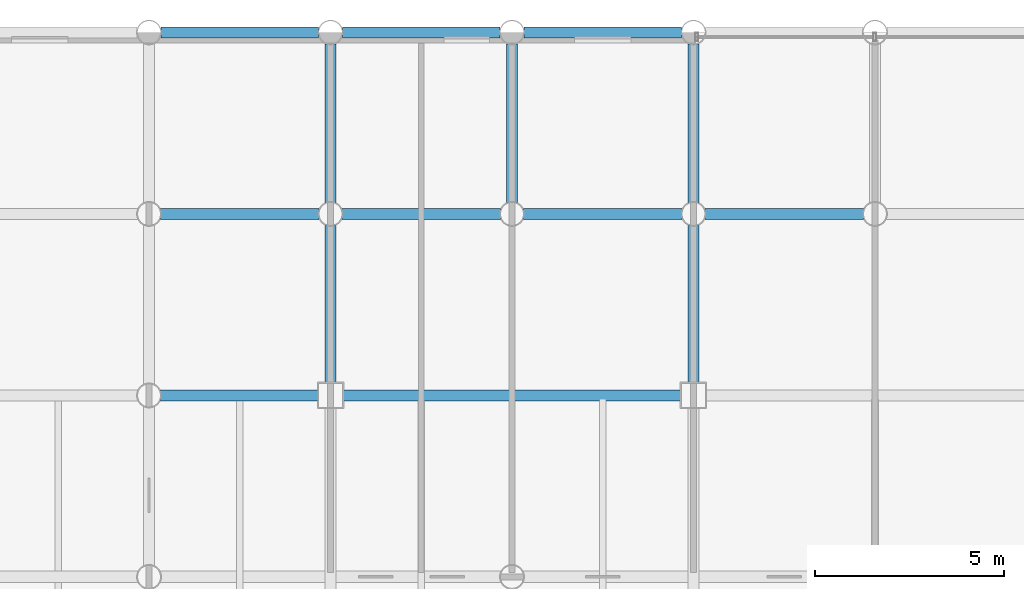
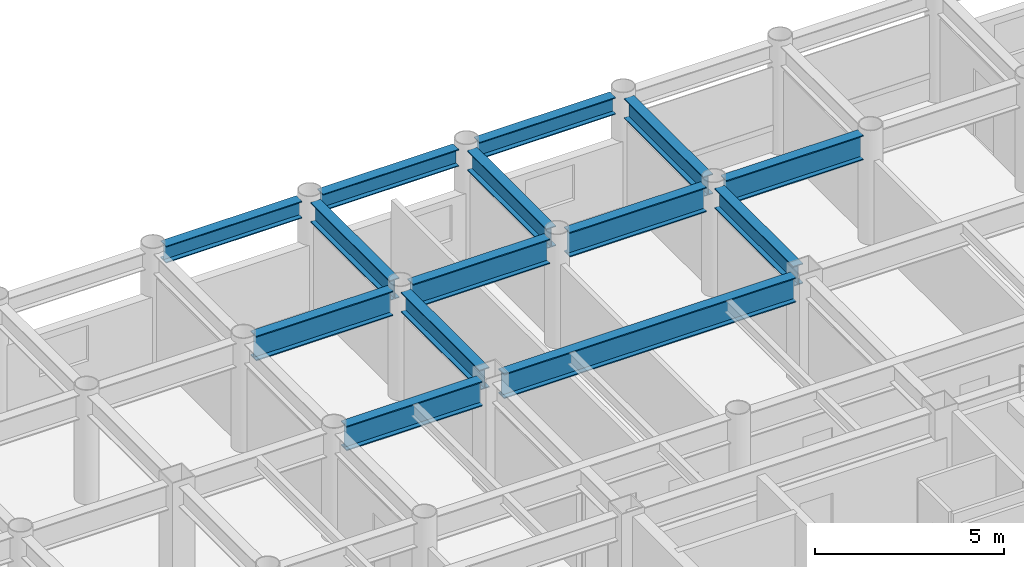
# One storey, part 11 of 21: 14 beams.
"""IFC4 building model written with IfcOpenShell, lengths in metres."""

from ifc_helpers import new_model, si_unit, direction, frame, origin, origin_2d, place, context, subcontext, project, spatial, i_section, extrude, material, material_profile, profile_set, type_object, element, save


model = new_model("IFC4")

# Units and contexts
model_context = context("Model", 3, precision=1e-05, world=origin(), true_north=direction((0.0, 1.0)))
body_context = subcontext(model_context, "Body", "Model", "MODEL_VIEW")
ifc_project = project(units=[si_unit("LENGTHUNIT", "METRE"), si_unit("AREAUNIT", "SQUARE_METRE"), si_unit("VOLUMEUNIT", "CUBIC_METRE"), si_unit("PLANEANGLEUNIT", "RADIAN"), si_unit("MASSUNIT", "GRAM", prefix="KILO")], contexts=[model_context])

# Site, building, storey
site_placement = place(None, origin())
site = spatial("IfcSite", under=ifc_project, at=site_placement, CompositionType="ELEMENT")
building_placement = place(site_placement, origin())
building = spatial("IfcBuilding", under=site, at=building_placement, Name="Kallvorn Hotel Tower", CompositionType="ELEMENT")
storey_placement = place(building_placement, frame((0.0, 0.0, 139.60009765625)))
storey = spatial("IfcBuildingStorey", under=building, at=storey_placement, Name="L34", CompositionType="ELEMENT", Elevation=139.60009765625)

# Beams
ifc_material_1 = material(Name="Structural steel S355JR", Category="steel")
ifc_material_profile_1 = material_profile(ifc_material_1, i_section(OverallWidth=0.300048828125, OverallDepth=0.550048828125, WebThickness=0.014892578125, FlangeThickness=0.029052734375, at=origin_2d()), Name="HE 550 B")
ifc_profile_set_1 = profile_set([ifc_material_profile_1], Name="Structural steel S355JR")
beam_type_1 = type_object("IfcBeamType", Name="BM_HE550B", PredefinedType="SPANDREL", material=ifc_profile_set_1)
beam_1_placement = place(storey_placement, frame((-18.8798828125, 24.0, 3.244873046875), z_axis=(1.0, 0.0, 0.0), x_axis=(0.0, 1.0, 0.0)))
element("IfcBeam", 1, at=beam_1_placement, inside=storey, type_object=beam_type_1, Name="L35 Perimeter Spandrel 165", PredefinedType="SPANDREL", context=body_context, shape_type="SweptSolid", body=[
    extrude(i_section(OverallWidth=0.300048828125, OverallDepth=0.550048828125, WebThickness=0.014892578125, FlangeThickness=0.029052734375, at=origin_2d()), origin(), (0.0, 0.0, 1.0), 4.159912109375),
])
beam_2_placement = place(storey_placement, frame((-14.080078125, 24.0, 3.244873046875), z_axis=(1.0, 0.0, 0.0), x_axis=(0.0, 1.0, 0.0)))
element("IfcBeam", 2, at=beam_2_placement, inside=storey, type_object=beam_type_1, Name="L35 Perimeter Spandrel 166", PredefinedType="SPANDREL", context=body_context, shape_type="SweptSolid", body=[
    extrude(i_section(OverallWidth=0.300048828125, OverallDepth=0.550048828125, WebThickness=0.014892578125, FlangeThickness=0.029052734375, at=origin_2d()), origin(), (0.0, 0.0, 1.0), 4.16015625),
])
beam_3_placement = place(storey_placement, frame((-9.280029296875, 24.0, 3.244873046875), z_axis=(1.0, 0.0, 0.0), x_axis=(0.0, 1.0, 0.0)))
element("IfcBeam", 3, at=beam_3_placement, inside=storey, type_object=beam_type_1, Name="L35 Perimeter Spandrel 167", PredefinedType="SPANDREL", context=body_context, shape_type="SweptSolid", body=[
    extrude(i_section(OverallWidth=0.300048828125, OverallDepth=0.550048828125, WebThickness=0.014892578125, FlangeThickness=0.029052734375, at=origin_2d()), origin(), (0.0, 0.0, 1.0), 4.159912109375),
])
ifc_material_2 = material(Name="Structural steel S355JR", Category="steel")
ifc_material_profile_2 = material_profile(ifc_material_2, i_section(OverallWidth=0.300048828125, OverallDepth=0.64990234375, WebThickness=0.01611328125, FlangeThickness=0.031005859375, at=origin_2d()), Name="HE 650 B")
ifc_profile_set_2 = profile_set([ifc_material_profile_2], Name="Structural steel S355JR")
beam_type_2 = type_object("IfcBeamType", Name="BM_HE650B", PredefinedType="BEAM", material=ifc_profile_set_2)
beam_4_placement = place(storey_placement, frame((-14.39990234375, 14.72509765625, 3.19482421875), z_axis=(0.0, 1.0, 0.0), x_axis=(-1.0, 0.0, 0.0)))
element("IfcBeam", 4, at=beam_4_placement, inside=storey, type_object=beam_type_2, Name="L35 Primary Y-Girder 101", PredefinedType="BEAM", context=body_context, shape_type="SweptSolid", body=[
    extrude(i_section(OverallWidth=0.300048828125, OverallDepth=0.64990234375, WebThickness=0.01611328125, FlangeThickness=0.031005859375, at=origin_2d()), origin(), (0.0, 0.0, 1.0), 4.169921875),
])
for number, where, z_axis, x_axis, name in (
    (5, (-14.39990234375, 19.5048828125, 3.19482421875), (0.0, 1.0, 0.0), (-1.0, 0.0, 0.0), "L35 Primary Y-Girder 102"),
    (6, (-9.60009765625, 19.5048828125, 3.19482421875), (0.0, 1.0, 0.0), (-1.0, 0.0, 0.0), "L35 Primary Y-Girder 105"),
):
    element("IfcBeam", number, at=place(storey_placement, frame(where, z_axis=z_axis, x_axis=x_axis)), inside=storey, type_object=beam_type_2, Name=name, PredefinedType="BEAM", context=body_context, shape_type="SweptSolid", body=[
        extrude(i_section(OverallWidth=0.300048828125, OverallDepth=0.64990234375, WebThickness=0.01611328125, FlangeThickness=0.031005859375, at=origin_2d()), origin(), (0.0, 0.0, 1.0), 4.190185546875),
    ])
beam_5_placement = place(storey_placement, frame((-4.800048828125, 14.72509765625, 3.19482421875), z_axis=(0.0, 1.0, 0.0), x_axis=(-1.0, 0.0, 0.0)))
element("IfcBeam", 7, at=beam_5_placement, inside=storey, type_object=beam_type_2, Name="L35 Primary Y-Girder 109", PredefinedType="BEAM", context=body_context, shape_type="SweptSolid", body=[
    extrude(i_section(OverallWidth=0.300048828125, OverallDepth=0.64990234375, WebThickness=0.01611328125, FlangeThickness=0.031005859375, at=origin_2d()), origin(), (0.0, 0.0, 1.0), 4.169921875),
])
beam_6_placement = place(storey_placement, frame((-4.800048828125, 19.5048828125, 3.19482421875), z_axis=(0.0, 1.0, 0.0), x_axis=(-1.0, 0.0, 0.0)))
element("IfcBeam", 8, at=beam_6_placement, inside=storey, type_object=beam_type_2, Name="L35 Primary Y-Girder 110", PredefinedType="BEAM", context=body_context, shape_type="SweptSolid", body=[
    extrude(i_section(OverallWidth=0.300048828125, OverallDepth=0.64990234375, WebThickness=0.01611328125, FlangeThickness=0.031005859375, at=origin_2d()), origin(), (0.0, 0.0, 1.0), 4.190185546875),
])
ifc_material_3 = material(Name="Structural steel S355JR", Category="steel")
ifc_material_profile_3 = material_profile(ifc_material_3, i_section(OverallWidth=0.300048828125, OverallDepth=0.800048828125, WebThickness=0.017578125, FlangeThickness=0.032958984375, at=origin_2d()), Name="HE 800 B")
ifc_profile_set_3 = profile_set([ifc_material_profile_3], Name="Structural steel S355JR")
beam_type_3 = type_object("IfcBeamType", Name="BM_HE800B", PredefinedType="BEAM", material=ifc_profile_set_3)
beam_7_placement = place(storey_placement, frame((-18.89501953125, 14.39990234375, 3.119873046875), z_axis=(1.0, 0.0, 0.0), x_axis=(0.0, 1.0, 0.0)))
element("IfcBeam", 9, at=beam_7_placement, inside=storey, type_object=beam_type_3, Name="L35 Primary X-Girder 53", PredefinedType="BEAM", context=body_context, shape_type="SweptSolid", body=[
    extrude(i_section(OverallWidth=0.300048828125, OverallDepth=0.800048828125, WebThickness=0.017578125, FlangeThickness=0.032958984375, at=origin_2d()), origin(), (0.0, 0.0, 1.0), 4.169921875),
])
beam_8_placement = place(storey_placement, frame((-14.074951171875, 14.39990234375, 3.119873046875), z_axis=(1.0, 0.0, 0.0), x_axis=(0.0, 1.0, 0.0)))
element("IfcBeam", 10, at=beam_8_placement, inside=storey, type_object=beam_type_3, Name="L35 Primary X-Girder 54", PredefinedType="BEAM", context=body_context, shape_type="SweptSolid", body=[
    extrude(i_section(OverallWidth=0.300048828125, OverallDepth=0.800048828125, WebThickness=0.017578125, FlangeThickness=0.032958984375, at=origin_2d()), origin(), (0.0, 0.0, 1.0), 8.949951171875),
])
for number, where, z_axis, x_axis, name in (
    (11, (-18.89501953125, 19.199951171875, 3.119873046875), (1.0, 0.0, 0.0), (0.0, 1.0, 0.0), "L35 Primary X-Girder 63"),
    (12, (-14.094970703125, 19.199951171875, 3.119873046875), (1.0, 0.0, 0.0), (0.0, 1.0, 0.0), "L35 Primary X-Girder 64"),
    (13, (-9.294921875, 19.199951171875, 3.119873046875), (1.0, 0.0, 0.0), (0.0, 1.0, 0.0), "L35 Primary X-Girder 65"),
):
    element("IfcBeam", number, at=place(storey_placement, frame(where, z_axis=z_axis, x_axis=x_axis)), inside=storey, type_object=beam_type_3, Name=name, PredefinedType="BEAM", context=body_context, shape_type="SweptSolid", body=[
        extrude(i_section(OverallWidth=0.300048828125, OverallDepth=0.800048828125, WebThickness=0.017578125, FlangeThickness=0.032958984375, at=origin_2d()), origin(), (0.0, 0.0, 1.0), 4.18994140625),
    ])
beam_9_placement = place(storey_placement, frame((-4.4951171875, 19.199951171875, 3.119873046875), z_axis=(1.0, 0.0, 0.0), x_axis=(0.0, 1.0, 0.0)))
element("IfcBeam", 14, at=beam_9_placement, inside=storey, type_object=beam_type_3, Name="L35 Primary X-Girder 66", PredefinedType="BEAM", context=body_context, shape_type="SweptSolid", body=[
    extrude(i_section(OverallWidth=0.300048828125, OverallDepth=0.800048828125, WebThickness=0.017578125, FlangeThickness=0.032958984375, at=origin_2d()), origin(), (0.0, 0.0, 1.0), 4.190185546875),
])

save(model, "model.ifc")
